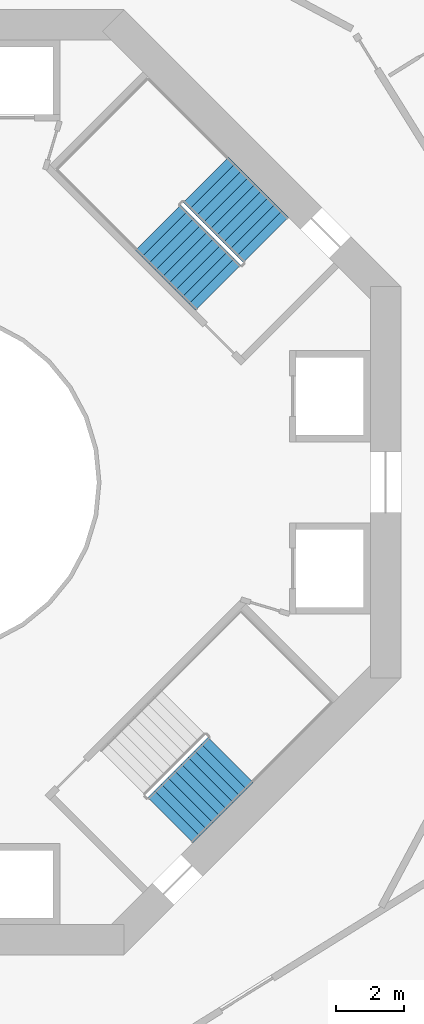
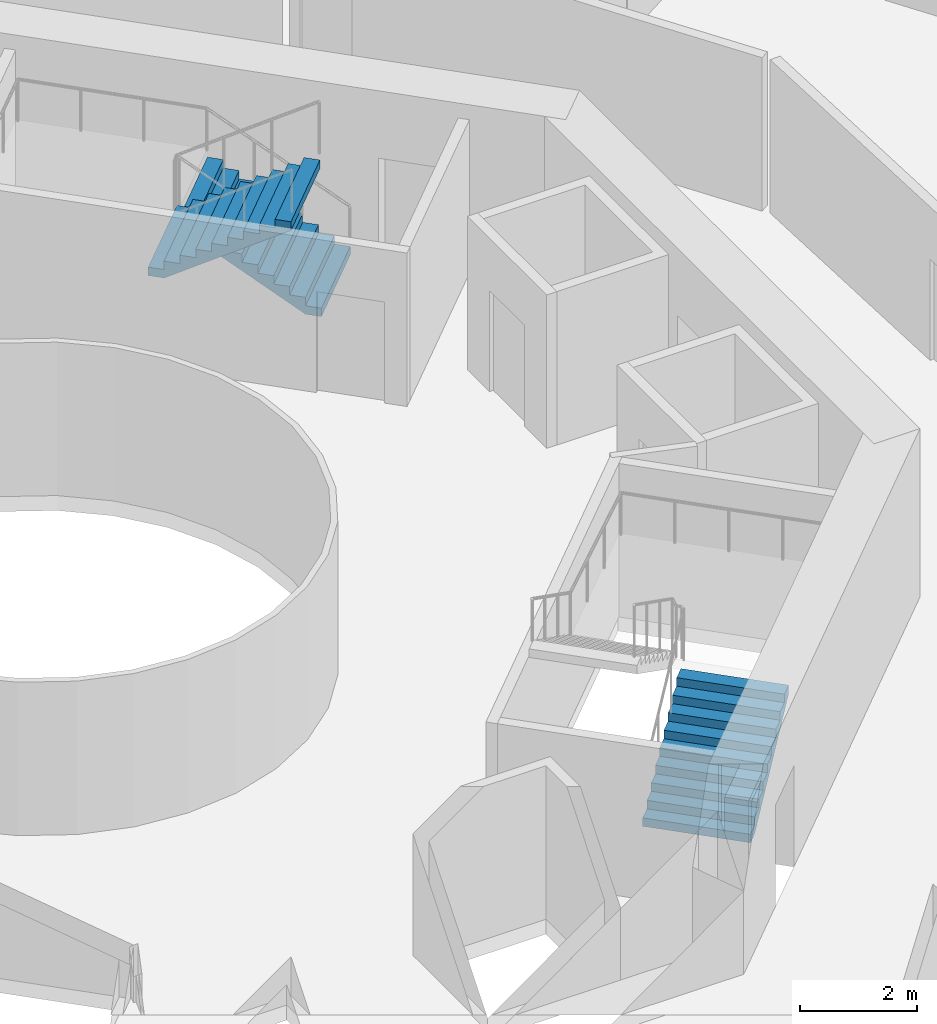
# One storey, part 26 of 27: 3 stair flights, 2 elements without a shape of their own.
"""IFC4 building model written with IfcOpenShell, lengths in metres."""

from ifc_helpers import new_model, si_unit, direction, frame, origin, place, context, subcontext, project, spatial, triangles, material, type_object, element, aggregate, save


model = new_model("IFC4")

# Units and contexts
model_context = context("Model", 3, precision=1e-05, world=origin(), true_north=direction((0.0, 1.0)))
body_context = subcontext(model_context, "Body", "Model", "MODEL_VIEW")
ifc_project = project(units=[si_unit("LENGTHUNIT", "METRE"), si_unit("AREAUNIT", "SQUARE_METRE"), si_unit("VOLUMEUNIT", "CUBIC_METRE"), si_unit("PLANEANGLEUNIT", "RADIAN"), si_unit("MASSUNIT", "GRAM", prefix="KILO")], contexts=[model_context])

# Site, building, storey
site_placement = place(None, origin())
site = spatial("IfcSite", under=ifc_project, at=site_placement, CompositionType="ELEMENT")
building_placement = place(site_placement, origin())
building = spatial("IfcBuilding", under=site, at=building_placement, Name="Verdalira Terraces Hotel", CompositionType="ELEMENT")
storey_placement = place(building_placement, frame((0.0, 0.0, 42.5)))
storey = spatial("IfcBuildingStorey", under=building, at=storey_placement, Name="L08", CompositionType="ELEMENT", Elevation=42.5)

# Stair, stair flights
ifc_material_1 = material(Name="Concrete C40", Category="concrete")
stair_type = type_object("IfcStairType", Name="Core stair 20 risers 1900 mm wide", PredefinedType="HALF_TURN_STAIR", material=ifc_material_1)
stair_1_placement = place(storey_placement, origin())
stair_1 = element("IfcStair", 1, at=stair_1_placement, inside=storey, type_object=stair_type, Name="L08 Exit stair ST1", PredefinedType="HALF_TURN_STAIR")
ifc_material_2 = material(Name="Concrete C40", Category="concrete")
stair_flight_type = type_object("IfcStairFlightType", Name="Core stair flight 20 risers 1900 mm wide", PredefinedType="STRAIGHT", material=ifc_material_2)
stair_flight_1_placement = place(storey_placement, frame((10.005615, 7.177246, 0.0), z_axis=(0.0, 0.0, 1.0), x_axis=(-0.707106781, 0.707106781, 0.0)))
stair_flight_1 = element("IfcStairFlight", 2, at=stair_flight_1_placement, type_object=stair_flight_type, Name="ST1 flight 1", NumberOfRisers=10, NumberOfTreads=9, PredefinedType="STRAIGHT", RiserHeight=0.175, TreadLength=0.28, context=body_context, shape_type="Tessellation", body=[
    triangles([(0.0, 0.949951, 0.0), (0.282715, 0.949951, 0.0), (2.52002, 0.949951, 1.398193), (0.0, -0.949951, 0.0), (0.282715, -0.949951, 0.0), (2.52002, -0.949951, 1.398193), (2.52002, 0.949951, 1.574951), (2.23999, 0.949951, 1.574951), (2.52002, -0.949951, 1.574951), (2.23999, -0.949951, 1.574951), (2.23999, 0.949951, 1.399902), (2.23999, -0.949951, 1.399902), (1.959961, 0.949951, 1.399902), (1.959961, -0.949951, 1.399902), (1.959961, 0.949951, 1.225098), (1.959961, -0.949951, 1.225098), (1.679932, 0.949951, 1.225098), (1.679932, 0.949951, 1.050049), (1.679932, -0.949951, 1.225098), (1.679932, -0.949951, 1.050049), (1.399902, 0.949951, 1.050049), (1.399902, 0.949951, 0.875), (1.399902, -0.949951, 1.050049), (1.399902, -0.949951, 0.875), (1.120117, 0.949951, 0.875), (1.120117, 0.949951, 0.699951), (1.120117, -0.949951, 0.875), (1.120117, -0.949951, 0.699951), (0.840088, 0.949951, 0.699951), (0.840088, 0.949951, 0.524902), (0.840088, -0.949951, 0.699951), (0.840088, -0.949951, 0.524902), (0.560059, 0.949951, 0.524902), (0.560059, 0.949951, 0.350098), (0.560059, -0.949951, 0.524902), (0.560059, -0.949951, 0.350098), (0.280029, 0.949951, 0.350098), (0.280029, 0.949951, 0.175049), (0.280029, -0.949951, 0.350098), (0.280029, -0.949951, 0.175049), (0.0, 0.949951, 0.175049), (0.0, -0.949951, 0.175049), (0.0, -0.890579, 0.0), (0.0, -0.890579, 0.175049), (0.0, -0.831207, 0.0), (0.0, -0.831207, 0.175049), (0.0, -0.771835, 0.0), (0.0, -0.771835, 0.175049), (0.0, -0.712463, 0.0), (0.0, -0.712463, 0.175049), (0.0, -0.653091, 0.0), (0.0, -0.653091, 0.175049), (0.0, -0.593719, 0.0), (0.0, -0.593719, 0.175049), (0.0, -0.534348, 0.0), (0.0, -0.534348, 0.175049), (0.0, -0.474976, 0.0), (0.0, -0.474976, 0.175049), (0.0, -0.415604, 0.0), (0.0, -0.415604, 0.175049), (0.0, -0.356232, 0.0), (0.0, -0.356232, 0.175049), (0.0, -0.29686, 0.0), (0.0, -0.29686, 0.175049), (0.0, -0.237488, 0.0), (0.0, -0.237488, 0.175049), (0.0, -0.178116, 0.0), (0.0, -0.178116, 0.175049), (0.0, -0.118744, 0.0), (0.0, -0.118744, 0.175049), (0.0, -0.059372, 0.0), (0.0, -0.059372, 0.175049), (0.0, 0.0, 0.0), (0.0, 0.0, 0.175049), (0.0, 0.059372, 0.0), (0.0, 0.059372, 0.175049), (0.0, 0.118744, 0.0), (0.0, 0.118744, 0.175049), (0.0, 0.178116, 0.0), (0.0, 0.178116, 0.175049), (0.0, 0.237488, 0.0), (0.0, 0.237488, 0.175049), (0.0, 0.29686, 0.0), (0.0, 0.29686, 0.175049), (0.0, 0.356232, 0.0), (0.0, 0.356232, 0.175049), (0.0, 0.415604, 0.0), (0.0, 0.415604, 0.175049), (0.0, 0.474976, 0.0), (0.0, 0.474976, 0.175049), (0.0, 0.534348, 0.0), (0.0, 0.534348, 0.175049), (0.0, 0.593719, 0.0), (0.0, 0.593719, 0.175049), (0.0, 0.653091, 0.0), (0.0, 0.653091, 0.175049), (0.0, 0.712463, 0.0), (0.0, 0.712463, 0.175049), (0.0, 0.771835, 0.0), (0.0, 0.771835, 0.175049), (0.0, 0.831207, 0.0), (0.0, 0.831207, 0.175049), (0.0, 0.890579, 0.0), (0.0, 0.890579, 0.175049), (2.52002, -0.890579, 1.574951), (2.52002, -0.831207, 1.574951), (2.52002, -0.771835, 1.574951), (2.52002, -0.712463, 1.574951), (2.52002, -0.653091, 1.574951), (2.52002, -0.593719, 1.574951), (2.52002, -0.534348, 1.574951), (2.52002, -0.474976, 1.574951), (2.52002, -0.415604, 1.574951), (2.52002, -0.356232, 1.574951), (2.52002, -0.29686, 1.574951), (2.52002, -0.237488, 1.574951), (2.52002, -0.178116, 1.574951), (2.52002, -0.118744, 1.574951), (2.52002, -0.059372, 1.574951), (2.52002, 0.0, 1.574951), (2.52002, 0.059372, 1.574951), (2.52002, 0.118744, 1.574951), (2.52002, 0.178116, 1.574951), (2.52002, 0.237488, 1.574951), (2.52002, 0.29686, 1.574951), (2.52002, 0.356232, 1.574951), (2.52002, 0.415604, 1.574951), (2.52002, 0.474976, 1.574951), (2.52002, 0.534348, 1.574951), (2.52002, 0.593719, 1.574951), (2.52002, 0.653091, 1.574951), (2.52002, 0.712463, 1.574951), (2.52002, 0.771835, 1.574951), (2.52002, 0.831207, 1.574951), (2.52002, 0.890579, 1.574951), (2.52002, -0.890579, 1.398193), (2.52002, -0.831207, 1.398193), (2.52002, -0.771835, 1.398193), (2.52002, -0.712463, 1.398193), (2.52002, -0.653091, 1.398193), (2.52002, -0.593719, 1.398193), (2.52002, -0.534348, 1.398193), (2.52002, -0.474976, 1.398193), (2.52002, -0.415604, 1.398193), (2.52002, -0.356232, 1.398193), (2.52002, -0.29686, 1.398193), (2.52002, -0.237488, 1.398193), (2.52002, -0.178116, 1.398193), (2.52002, -0.118744, 1.398193), (2.52002, -0.059372, 1.398193), (2.52002, 0.0, 1.398193), (2.52002, 0.059372, 1.398193), (2.52002, 0.118744, 1.398193), (2.52002, 0.178116, 1.398193), (2.52002, 0.237488, 1.398193), (2.52002, 0.29686, 1.398193), (2.52002, 0.356232, 1.398193), (2.52002, 0.415604, 1.398193), (2.52002, 0.474976, 1.398193), (2.52002, 0.534348, 1.398193), (2.52002, 0.593719, 1.398193), (2.52002, 0.653091, 1.398193), (2.52002, 0.712463, 1.398193), (2.52002, 0.771835, 1.398193), (2.52002, 0.831207, 1.398193), (2.52002, 0.890579, 1.398193)], [[1, 3, 2], [4, 5, 6], [3, 8, 7], [6, 9, 10], [3, 11, 8], [6, 10, 12], [3, 13, 11], [6, 12, 14], [3, 15, 13], [6, 14, 16], [15, 18, 17], [16, 19, 20], [3, 18, 15], [6, 16, 20], [18, 22, 21], [20, 23, 24], [3, 22, 18], [6, 20, 24], [22, 26, 25], [24, 27, 28], [3, 26, 22], [6, 24, 28], [26, 30, 29], [28, 31, 32], [3, 30, 26], [6, 28, 32], [1, 30, 3], [4, 6, 32], [30, 34, 33], [32, 35, 36], [34, 38, 37], [36, 39, 40], [30, 38, 34], [32, 36, 40], [1, 38, 30], [4, 32, 40], [38, 1, 41], [40, 42, 4], [4, 44, 43], [4, 42, 44], [43, 46, 45], [43, 44, 46], [45, 48, 47], [45, 46, 48], [47, 50, 49], [47, 48, 50], [49, 52, 51], [49, 50, 52], [51, 54, 53], [51, 52, 54], [53, 56, 55], [53, 54, 56], [55, 58, 57], [55, 56, 58], [57, 60, 59], [57, 58, 60], [59, 62, 61], [59, 60, 62], [61, 64, 63], [61, 62, 64], [63, 66, 65], [63, 64, 66], [65, 68, 67], [65, 66, 68], [67, 70, 69], [67, 68, 70], [69, 72, 71], [69, 70, 72], [71, 74, 73], [71, 72, 74], [73, 76, 75], [73, 74, 76], [75, 78, 77], [75, 76, 78], [77, 80, 79], [77, 78, 80], [79, 82, 81], [79, 80, 82], [81, 84, 83], [81, 82, 84], [83, 86, 85], [83, 84, 86], [85, 88, 87], [85, 86, 88], [87, 90, 89], [87, 88, 90], [89, 92, 91], [89, 90, 92], [91, 94, 93], [91, 92, 94], [93, 96, 95], [93, 94, 96], [95, 98, 97], [95, 96, 98], [97, 100, 99], [97, 98, 100], [99, 102, 101], [99, 100, 102], [101, 104, 103], [101, 102, 104], [103, 41, 1], [103, 104, 41], [42, 40, 44], [44, 40, 46], [46, 40, 48], [48, 40, 50], [50, 40, 52], [52, 40, 54], [54, 40, 56], [56, 40, 58], [58, 40, 60], [60, 40, 62], [62, 40, 64], [64, 40, 66], [66, 40, 68], [68, 40, 70], [70, 40, 72], [72, 40, 74], [74, 40, 76], [76, 40, 78], [78, 40, 80], [80, 40, 82], [82, 40, 84], [84, 40, 86], [86, 40, 88], [88, 40, 90], [90, 40, 92], [92, 40, 94], [94, 40, 96], [96, 40, 98], [98, 40, 100], [100, 40, 102], [102, 40, 104], [104, 40, 41], [41, 40, 38], [40, 37, 38], [40, 39, 37], [39, 34, 37], [39, 36, 34], [36, 33, 34], [36, 35, 33], [35, 30, 33], [35, 32, 30], [32, 29, 30], [32, 31, 29], [31, 26, 29], [31, 28, 26], [28, 25, 26], [28, 27, 25], [27, 22, 25], [27, 24, 22], [24, 21, 22], [24, 23, 21], [23, 18, 21], [23, 20, 18], [20, 17, 18], [20, 19, 17], [19, 15, 17], [19, 16, 15], [16, 13, 15], [16, 14, 13], [14, 11, 13], [14, 12, 11], [12, 8, 11], [12, 10, 8], [9, 105, 10], [105, 106, 10], [106, 107, 10], [107, 108, 10], [108, 109, 10], [109, 110, 10], [110, 111, 10], [111, 112, 10], [112, 113, 10], [113, 114, 10], [114, 115, 10], [115, 116, 10], [116, 117, 10], [117, 118, 10], [118, 119, 10], [119, 120, 10], [120, 121, 10], [121, 122, 10], [122, 123, 10], [123, 124, 10], [124, 125, 10], [125, 126, 10], [126, 127, 10], [127, 128, 10], [128, 129, 10], [129, 130, 10], [130, 131, 10], [131, 132, 10], [132, 133, 10], [133, 134, 10], [134, 135, 10], [135, 7, 10], [7, 8, 10], [9, 136, 105], [9, 6, 136], [105, 137, 106], [105, 136, 137], [106, 138, 107], [106, 137, 138], [107, 139, 108], [107, 138, 139], [108, 140, 109], [108, 139, 140], [109, 141, 110], [109, 140, 141], [110, 142, 111], [110, 141, 142], [111, 143, 112], [111, 142, 143], [112, 144, 113], [112, 143, 144], [113, 145, 114], [113, 144, 145], [114, 146, 115], [114, 145, 146], [115, 147, 116], [115, 146, 147], [116, 148, 117], [116, 147, 148], [117, 149, 118], [117, 148, 149], [118, 150, 119], [118, 149, 150], [119, 151, 120], [119, 150, 151], [120, 152, 121], [120, 151, 152], [121, 153, 122], [121, 152, 153], [122, 154, 123], [122, 153, 154], [123, 155, 124], [123, 154, 155], [124, 156, 125], [124, 155, 156], [125, 157, 126], [125, 156, 157], [126, 158, 127], [126, 157, 158], [127, 159, 128], [127, 158, 159], [128, 160, 129], [128, 159, 160], [129, 161, 130], [129, 160, 161], [130, 162, 131], [130, 161, 162], [131, 163, 132], [131, 162, 163], [132, 164, 133], [132, 163, 164], [133, 165, 134], [133, 164, 165], [134, 166, 135], [134, 165, 166], [135, 3, 7], [135, 166, 3], [6, 5, 136], [136, 5, 137], [137, 5, 138], [138, 5, 139], [139, 5, 140], [140, 5, 141], [141, 5, 142], [142, 5, 143], [143, 5, 144], [144, 5, 145], [145, 5, 146], [146, 5, 147], [147, 5, 148], [148, 5, 149], [149, 5, 150], [150, 5, 151], [151, 5, 152], [152, 5, 153], [153, 5, 154], [154, 5, 155], [155, 5, 156], [156, 5, 157], [157, 5, 158], [158, 5, 159], [159, 5, 160], [160, 5, 161], [161, 5, 162], [162, 5, 163], [163, 5, 164], [164, 5, 165], [165, 5, 166], [166, 5, 3], [3, 5, 2], [4, 43, 5], [43, 45, 5], [45, 47, 5], [47, 49, 5], [49, 51, 5], [51, 53, 5], [53, 55, 5], [55, 57, 5], [57, 59, 5], [59, 61, 5], [61, 63, 5], [63, 65, 5], [65, 67, 5], [67, 69, 5], [69, 71, 5], [71, 73, 5], [73, 75, 5], [75, 77, 5], [77, 79, 5], [79, 81, 5], [81, 83, 5], [83, 85, 5], [85, 87, 5], [87, 89, 5], [89, 91, 5], [91, 93, 5], [93, 95, 5], [95, 97, 5], [97, 99, 5], [99, 101, 5], [101, 103, 5], [103, 1, 5], [1, 2, 5]], closed=True),
])
stair_flight_2_placement = place(storey_placement, frame((6.809326, 7.544922, 1.75), z_axis=(0.0, 0.0, 1.0), x_axis=(0.707106781, -0.707106781, 0.0)))
stair_flight_2 = element("IfcStairFlight", 3, at=stair_flight_2_placement, type_object=stair_flight_type, Name="ST1 flight 2", NumberOfRisers=10, NumberOfTreads=9, PredefinedType="STRAIGHT", RiserHeight=0.175, TreadLength=0.28, context=body_context, shape_type="Tessellation", body=[
    triangles([(0.0, 0.949951, 0.0), (0.282715, 0.949951, 0.0), (2.52002, 0.949951, 1.398193), (0.0, -0.949951, 0.0), (0.282715, -0.949951, 0.0), (2.52002, -0.949951, 1.398193), (2.52002, 0.949951, 1.574951), (2.23999, 0.949951, 1.574951), (2.52002, -0.949951, 1.574951), (2.23999, -0.949951, 1.574951), (2.23999, 0.949951, 1.399902), (2.23999, -0.949951, 1.399902), (1.959961, 0.949951, 1.399902), (1.959961, -0.949951, 1.399902), (1.959961, 0.949951, 1.225098), (1.959961, -0.949951, 1.225098), (1.679932, 0.949951, 1.225098), (1.679932, 0.949951, 1.050049), (1.679932, -0.949951, 1.225098), (1.679932, -0.949951, 1.050049), (1.399902, 0.949951, 1.050049), (1.399902, 0.949951, 0.875), (1.399902, -0.949951, 1.050049), (1.399902, -0.949951, 0.875), (1.120117, 0.949951, 0.875), (1.120117, 0.949951, 0.699951), (1.120117, -0.949951, 0.875), (1.120117, -0.949951, 0.699951), (0.840088, 0.949951, 0.699951), (0.840088, 0.949951, 0.524902), (0.840088, -0.949951, 0.699951), (0.840088, -0.949951, 0.524902), (0.560059, 0.949951, 0.524902), (0.560059, 0.949951, 0.350098), (0.560059, -0.949951, 0.524902), (0.560059, -0.949951, 0.350098), (0.280029, 0.949951, 0.350098), (0.280029, 0.949951, 0.175049), (0.280029, -0.949951, 0.350098), (0.280029, -0.949951, 0.175049), (0.0, 0.949951, 0.175049), (0.0, -0.949951, 0.175049), (0.0, -0.890579, 0.0), (0.0, -0.890579, 0.175049), (0.0, -0.831207, 0.0), (0.0, -0.831207, 0.175049), (0.0, -0.771835, 0.0), (0.0, -0.771835, 0.175049), (0.0, -0.712463, 0.0), (0.0, -0.712463, 0.175049), (0.0, -0.653091, 0.0), (0.0, -0.653091, 0.175049), (0.0, -0.593719, 0.0), (0.0, -0.593719, 0.175049), (0.0, -0.534348, 0.0), (0.0, -0.534348, 0.175049), (0.0, -0.474976, 0.0), (0.0, -0.474976, 0.175049), (0.0, -0.415604, 0.0), (0.0, -0.415604, 0.175049), (0.0, -0.356232, 0.0), (0.0, -0.356232, 0.175049), (0.0, -0.29686, 0.0), (0.0, -0.29686, 0.175049), (0.0, -0.237488, 0.0), (0.0, -0.237488, 0.175049), (0.0, -0.178116, 0.0), (0.0, -0.178116, 0.175049), (0.0, -0.118744, 0.0), (0.0, -0.118744, 0.175049), (0.0, -0.059372, 0.0), (0.0, -0.059372, 0.175049), (0.0, 0.0, 0.0), (0.0, 0.0, 0.175049), (0.0, 0.059372, 0.0), (0.0, 0.059372, 0.175049), (0.0, 0.118744, 0.0), (0.0, 0.118744, 0.175049), (0.0, 0.178116, 0.0), (0.0, 0.178116, 0.175049), (0.0, 0.237488, 0.0), (0.0, 0.237488, 0.175049), (0.0, 0.29686, 0.0), (0.0, 0.29686, 0.175049), (0.0, 0.356232, 0.0), (0.0, 0.356232, 0.175049), (0.0, 0.415604, 0.0), (0.0, 0.415604, 0.175049), (0.0, 0.474976, 0.0), (0.0, 0.474976, 0.175049), (0.0, 0.534348, 0.0), (0.0, 0.534348, 0.175049), (0.0, 0.593719, 0.0), (0.0, 0.593719, 0.175049), (0.0, 0.653091, 0.0), (0.0, 0.653091, 0.175049), (0.0, 0.712463, 0.0), (0.0, 0.712463, 0.175049), (0.0, 0.771835, 0.0), (0.0, 0.771835, 0.175049), (0.0, 0.831207, 0.0), (0.0, 0.831207, 0.175049), (0.0, 0.890579, 0.0), (0.0, 0.890579, 0.175049), (2.52002, -0.890579, 1.574951), (2.52002, -0.831207, 1.574951), (2.52002, -0.771835, 1.574951), (2.52002, -0.712463, 1.574951), (2.52002, -0.653091, 1.574951), (2.52002, -0.593719, 1.574951), (2.52002, -0.534348, 1.574951), (2.52002, -0.474976, 1.574951), (2.52002, -0.415604, 1.574951), (2.52002, -0.356232, 1.574951), (2.52002, -0.29686, 1.574951), (2.52002, -0.237488, 1.574951), (2.52002, -0.178116, 1.574951), (2.52002, -0.118744, 1.574951), (2.52002, -0.059372, 1.574951), (2.52002, 0.0, 1.574951), (2.52002, 0.059372, 1.574951), (2.52002, 0.118744, 1.574951), (2.52002, 0.178116, 1.574951), (2.52002, 0.237488, 1.574951), (2.52002, 0.29686, 1.574951), (2.52002, 0.356232, 1.574951), (2.52002, 0.415604, 1.574951), (2.52002, 0.474976, 1.574951), (2.52002, 0.534348, 1.574951), (2.52002, 0.593719, 1.574951), (2.52002, 0.653091, 1.574951), (2.52002, 0.712463, 1.574951), (2.52002, 0.771835, 1.574951), (2.52002, 0.831207, 1.574951), (2.52002, 0.890579, 1.574951), (2.52002, -0.890579, 1.398193), (2.52002, -0.831207, 1.398193), (2.52002, -0.771835, 1.398193), (2.52002, -0.712463, 1.398193), (2.52002, -0.653091, 1.398193), (2.52002, -0.593719, 1.398193), (2.52002, -0.534348, 1.398193), (2.52002, -0.474976, 1.398193), (2.52002, -0.415604, 1.398193), (2.52002, -0.356232, 1.398193), (2.52002, -0.29686, 1.398193), (2.52002, -0.237488, 1.398193), (2.52002, -0.178116, 1.398193), (2.52002, -0.118744, 1.398193), (2.52002, -0.059372, 1.398193), (2.52002, 0.0, 1.398193), (2.52002, 0.059372, 1.398193), (2.52002, 0.118744, 1.398193), (2.52002, 0.178116, 1.398193), (2.52002, 0.237488, 1.398193), (2.52002, 0.29686, 1.398193), (2.52002, 0.356232, 1.398193), (2.52002, 0.415604, 1.398193), (2.52002, 0.474976, 1.398193), (2.52002, 0.534348, 1.398193), (2.52002, 0.593719, 1.398193), (2.52002, 0.653091, 1.398193), (2.52002, 0.712463, 1.398193), (2.52002, 0.771835, 1.398193), (2.52002, 0.831207, 1.398193), (2.52002, 0.890579, 1.398193)], [[1, 3, 2], [4, 5, 6], [3, 8, 7], [6, 9, 10], [3, 11, 8], [6, 10, 12], [3, 13, 11], [6, 12, 14], [3, 15, 13], [6, 14, 16], [15, 18, 17], [16, 19, 20], [3, 18, 15], [6, 16, 20], [18, 22, 21], [20, 23, 24], [3, 22, 18], [6, 20, 24], [22, 26, 25], [24, 27, 28], [3, 26, 22], [6, 24, 28], [26, 30, 29], [28, 31, 32], [3, 30, 26], [6, 28, 32], [1, 30, 3], [4, 6, 32], [30, 34, 33], [32, 35, 36], [34, 38, 37], [36, 39, 40], [30, 38, 34], [32, 36, 40], [1, 38, 30], [4, 32, 40], [38, 1, 41], [40, 42, 4], [4, 44, 43], [4, 42, 44], [43, 46, 45], [43, 44, 46], [45, 48, 47], [45, 46, 48], [47, 50, 49], [47, 48, 50], [49, 52, 51], [49, 50, 52], [51, 54, 53], [51, 52, 54], [53, 56, 55], [53, 54, 56], [55, 58, 57], [55, 56, 58], [57, 60, 59], [57, 58, 60], [59, 62, 61], [59, 60, 62], [61, 64, 63], [61, 62, 64], [63, 66, 65], [63, 64, 66], [65, 68, 67], [65, 66, 68], [67, 70, 69], [67, 68, 70], [69, 72, 71], [69, 70, 72], [71, 74, 73], [71, 72, 74], [73, 76, 75], [73, 74, 76], [75, 78, 77], [75, 76, 78], [77, 80, 79], [77, 78, 80], [79, 82, 81], [79, 80, 82], [81, 84, 83], [81, 82, 84], [83, 86, 85], [83, 84, 86], [85, 88, 87], [85, 86, 88], [87, 90, 89], [87, 88, 90], [89, 92, 91], [89, 90, 92], [91, 94, 93], [91, 92, 94], [93, 96, 95], [93, 94, 96], [95, 98, 97], [95, 96, 98], [97, 100, 99], [97, 98, 100], [99, 102, 101], [99, 100, 102], [101, 104, 103], [101, 102, 104], [103, 41, 1], [103, 104, 41], [42, 40, 44], [44, 40, 46], [46, 40, 48], [48, 40, 50], [50, 40, 52], [52, 40, 54], [54, 40, 56], [56, 40, 58], [58, 40, 60], [60, 40, 62], [62, 40, 64], [64, 40, 66], [66, 40, 68], [68, 40, 70], [70, 40, 72], [72, 40, 74], [74, 40, 76], [76, 40, 78], [78, 40, 80], [80, 40, 82], [82, 40, 84], [84, 40, 86], [86, 40, 88], [88, 40, 90], [90, 40, 92], [92, 40, 94], [94, 40, 96], [96, 40, 98], [98, 40, 100], [100, 40, 102], [102, 40, 104], [104, 40, 41], [41, 40, 38], [40, 37, 38], [40, 39, 37], [39, 34, 37], [39, 36, 34], [36, 33, 34], [36, 35, 33], [35, 30, 33], [35, 32, 30], [32, 29, 30], [32, 31, 29], [31, 26, 29], [31, 28, 26], [28, 25, 26], [28, 27, 25], [27, 22, 25], [27, 24, 22], [24, 21, 22], [24, 23, 21], [23, 18, 21], [23, 20, 18], [20, 17, 18], [20, 19, 17], [19, 15, 17], [19, 16, 15], [16, 13, 15], [16, 14, 13], [14, 11, 13], [14, 12, 11], [12, 8, 11], [12, 10, 8], [9, 105, 10], [105, 106, 10], [106, 107, 10], [107, 108, 10], [108, 109, 10], [109, 110, 10], [110, 111, 10], [111, 112, 10], [112, 113, 10], [113, 114, 10], [114, 115, 10], [115, 116, 10], [116, 117, 10], [117, 118, 10], [118, 119, 10], [119, 120, 10], [120, 121, 10], [121, 122, 10], [122, 123, 10], [123, 124, 10], [124, 125, 10], [125, 126, 10], [126, 127, 10], [127, 128, 10], [128, 129, 10], [129, 130, 10], [130, 131, 10], [131, 132, 10], [132, 133, 10], [133, 134, 10], [134, 135, 10], [135, 7, 10], [7, 8, 10], [9, 136, 105], [9, 6, 136], [105, 137, 106], [105, 136, 137], [106, 138, 107], [106, 137, 138], [107, 139, 108], [107, 138, 139], [108, 140, 109], [108, 139, 140], [109, 141, 110], [109, 140, 141], [110, 142, 111], [110, 141, 142], [111, 143, 112], [111, 142, 143], [112, 144, 113], [112, 143, 144], [113, 145, 114], [113, 144, 145], [114, 146, 115], [114, 145, 146], [115, 147, 116], [115, 146, 147], [116, 148, 117], [116, 147, 148], [117, 149, 118], [117, 148, 149], [118, 150, 119], [118, 149, 150], [119, 151, 120], [119, 150, 151], [120, 152, 121], [120, 151, 152], [121, 153, 122], [121, 152, 153], [122, 154, 123], [122, 153, 154], [123, 155, 124], [123, 154, 155], [124, 156, 125], [124, 155, 156], [125, 157, 126], [125, 156, 157], [126, 158, 127], [126, 157, 158], [127, 159, 128], [127, 158, 159], [128, 160, 129], [128, 159, 160], [129, 161, 130], [129, 160, 161], [130, 162, 131], [130, 161, 162], [131, 163, 132], [131, 162, 163], [132, 164, 133], [132, 163, 164], [133, 165, 134], [133, 164, 165], [134, 166, 135], [134, 165, 166], [135, 3, 7], [135, 166, 3], [6, 5, 136], [136, 5, 137], [137, 5, 138], [138, 5, 139], [139, 5, 140], [140, 5, 141], [141, 5, 142], [142, 5, 143], [143, 5, 144], [144, 5, 145], [145, 5, 146], [146, 5, 147], [147, 5, 148], [148, 5, 149], [149, 5, 150], [150, 5, 151], [151, 5, 152], [152, 5, 153], [153, 5, 154], [154, 5, 155], [155, 5, 156], [156, 5, 157], [157, 5, 158], [158, 5, 159], [159, 5, 160], [160, 5, 161], [161, 5, 162], [162, 5, 163], [163, 5, 164], [164, 5, 165], [165, 5, 166], [166, 5, 3], [3, 5, 2], [4, 43, 5], [43, 45, 5], [45, 47, 5], [47, 49, 5], [49, 51, 5], [51, 53, 5], [53, 55, 5], [55, 57, 5], [57, 59, 5], [59, 61, 5], [61, 63, 5], [63, 65, 5], [65, 67, 5], [67, 69, 5], [69, 71, 5], [71, 73, 5], [73, 75, 5], [75, 77, 5], [77, 79, 5], [79, 81, 5], [81, 83, 5], [83, 85, 5], [85, 87, 5], [87, 89, 5], [89, 91, 5], [91, 93, 5], [93, 95, 5], [95, 97, 5], [97, 99, 5], [99, 101, 5], [101, 103, 5], [103, 1, 5], [1, 2, 5]], closed=True),
])
aggregate(stair_1, [stair_flight_1, stair_flight_2])

# Stair, stair flight
stair_2_placement = place(storey_placement, origin())
stair_2 = element("IfcStair", 4, at=stair_2_placement, inside=storey, type_object=stair_type, Name="L08 Exit stair ST3", PredefinedType="HALF_TURN_STAIR")
stair_flight_3_placement = place(storey_placement, frame((7.177246, -10.005615, 0.0), z_axis=(0.0, 0.0, 1.0), x_axis=(0.707106781, 0.707106781, 0.0)))
stair_flight_3 = element("IfcStairFlight", 5, at=stair_flight_3_placement, type_object=stair_flight_type, Name="ST3 flight 1", NumberOfRisers=10, NumberOfTreads=9, PredefinedType="STRAIGHT", RiserHeight=0.175, TreadLength=0.28, context=body_context, shape_type="Tessellation", body=[
    triangles([(0.0, 0.949951, 0.0), (0.282715, 0.949951, 0.0), (2.52002, 0.949951, 1.398193), (0.0, -0.949951, 0.0), (0.282715, -0.949951, 0.0), (2.52002, -0.949951, 1.398193), (2.52002, 0.949951, 1.574951), (2.23999, 0.949951, 1.574951), (2.52002, -0.949951, 1.574951), (2.23999, -0.949951, 1.574951), (2.23999, 0.949951, 1.399902), (2.23999, -0.949951, 1.399902), (1.959961, 0.949951, 1.399902), (1.959961, -0.949951, 1.399902), (1.959961, 0.949951, 1.225098), (1.959961, -0.949951, 1.225098), (1.679932, 0.949951, 1.225098), (1.679932, 0.949951, 1.050049), (1.679932, -0.949951, 1.225098), (1.679932, -0.949951, 1.050049), (1.399902, 0.949951, 1.050049), (1.399902, 0.949951, 0.875), (1.399902, -0.949951, 1.050049), (1.399902, -0.949951, 0.875), (1.120117, 0.949951, 0.875), (1.120117, 0.949951, 0.699951), (1.120117, -0.949951, 0.875), (1.120117, -0.949951, 0.699951), (0.840088, 0.949951, 0.699951), (0.840088, 0.949951, 0.524902), (0.840088, -0.949951, 0.699951), (0.840088, -0.949951, 0.524902), (0.560059, 0.949951, 0.524902), (0.560059, 0.949951, 0.350098), (0.560059, -0.949951, 0.524902), (0.560059, -0.949951, 0.350098), (0.280029, 0.949951, 0.350098), (0.280029, 0.949951, 0.175049), (0.280029, -0.949951, 0.350098), (0.280029, -0.949951, 0.175049), (0.0, 0.949951, 0.175049), (0.0, -0.949951, 0.175049), (0.0, -0.890579, 0.0), (0.0, -0.890579, 0.175049), (0.0, -0.831207, 0.0), (0.0, -0.831207, 0.175049), (0.0, -0.771835, 0.0), (0.0, -0.771835, 0.175049), (0.0, -0.712463, 0.0), (0.0, -0.712463, 0.175049), (0.0, -0.653091, 0.0), (0.0, -0.653091, 0.175049), (0.0, -0.593719, 0.0), (0.0, -0.593719, 0.175049), (0.0, -0.534348, 0.0), (0.0, -0.534348, 0.175049), (0.0, -0.474976, 0.0), (0.0, -0.474976, 0.175049), (0.0, -0.415604, 0.0), (0.0, -0.415604, 0.175049), (0.0, -0.356232, 0.0), (0.0, -0.356232, 0.175049), (0.0, -0.29686, 0.0), (0.0, -0.29686, 0.175049), (0.0, -0.237488, 0.0), (0.0, -0.237488, 0.175049), (0.0, -0.178116, 0.0), (0.0, -0.178116, 0.175049), (0.0, -0.118744, 0.0), (0.0, -0.118744, 0.175049), (0.0, -0.059372, 0.0), (0.0, -0.059372, 0.175049), (0.0, 0.0, 0.0), (0.0, 0.0, 0.175049), (0.0, 0.059372, 0.0), (0.0, 0.059372, 0.175049), (0.0, 0.118744, 0.0), (0.0, 0.118744, 0.175049), (0.0, 0.178116, 0.0), (0.0, 0.178116, 0.175049), (0.0, 0.237488, 0.0), (0.0, 0.237488, 0.175049), (0.0, 0.29686, 0.0), (0.0, 0.29686, 0.175049), (0.0, 0.356232, 0.0), (0.0, 0.356232, 0.175049), (0.0, 0.415604, 0.0), (0.0, 0.415604, 0.175049), (0.0, 0.474976, 0.0), (0.0, 0.474976, 0.175049), (0.0, 0.534348, 0.0), (0.0, 0.534348, 0.175049), (0.0, 0.593719, 0.0), (0.0, 0.593719, 0.175049), (0.0, 0.653091, 0.0), (0.0, 0.653091, 0.175049), (0.0, 0.712463, 0.0), (0.0, 0.712463, 0.175049), (0.0, 0.771835, 0.0), (0.0, 0.771835, 0.175049), (0.0, 0.831207, 0.0), (0.0, 0.831207, 0.175049), (0.0, 0.890579, 0.0), (0.0, 0.890579, 0.175049), (2.52002, -0.890579, 1.574951), (2.52002, -0.831207, 1.574951), (2.52002, -0.771835, 1.574951), (2.52002, -0.712463, 1.574951), (2.52002, -0.653091, 1.574951), (2.52002, -0.593719, 1.574951), (2.52002, -0.534348, 1.574951), (2.52002, -0.474976, 1.574951), (2.52002, -0.415604, 1.574951), (2.52002, -0.356232, 1.574951), (2.52002, -0.29686, 1.574951), (2.52002, -0.237488, 1.574951), (2.52002, -0.178116, 1.574951), (2.52002, -0.118744, 1.574951), (2.52002, -0.059372, 1.574951), (2.52002, 0.0, 1.574951), (2.52002, 0.059372, 1.574951), (2.52002, 0.118744, 1.574951), (2.52002, 0.178116, 1.574951), (2.52002, 0.237488, 1.574951), (2.52002, 0.29686, 1.574951), (2.52002, 0.356232, 1.574951), (2.52002, 0.415604, 1.574951), (2.52002, 0.474976, 1.574951), (2.52002, 0.534348, 1.574951), (2.52002, 0.593719, 1.574951), (2.52002, 0.653091, 1.574951), (2.52002, 0.712463, 1.574951), (2.52002, 0.771835, 1.574951), (2.52002, 0.831207, 1.574951), (2.52002, 0.890579, 1.574951), (2.52002, -0.890579, 1.398193), (2.52002, -0.831207, 1.398193), (2.52002, -0.771835, 1.398193), (2.52002, -0.712463, 1.398193), (2.52002, -0.653091, 1.398193), (2.52002, -0.593719, 1.398193), (2.52002, -0.534348, 1.398193), (2.52002, -0.474976, 1.398193), (2.52002, -0.415604, 1.398193), (2.52002, -0.356232, 1.398193), (2.52002, -0.29686, 1.398193), (2.52002, -0.237488, 1.398193), (2.52002, -0.178116, 1.398193), (2.52002, -0.118744, 1.398193), (2.52002, -0.059372, 1.398193), (2.52002, 0.0, 1.398193), (2.52002, 0.059372, 1.398193), (2.52002, 0.118744, 1.398193), (2.52002, 0.178116, 1.398193), (2.52002, 0.237488, 1.398193), (2.52002, 0.29686, 1.398193), (2.52002, 0.356232, 1.398193), (2.52002, 0.415604, 1.398193), (2.52002, 0.474976, 1.398193), (2.52002, 0.534348, 1.398193), (2.52002, 0.593719, 1.398193), (2.52002, 0.653091, 1.398193), (2.52002, 0.712463, 1.398193), (2.52002, 0.771835, 1.398193), (2.52002, 0.831207, 1.398193), (2.52002, 0.890579, 1.398193)], [[1, 3, 2], [4, 5, 6], [3, 8, 7], [6, 9, 10], [3, 11, 8], [6, 10, 12], [3, 13, 11], [6, 12, 14], [3, 15, 13], [6, 14, 16], [15, 18, 17], [16, 19, 20], [3, 18, 15], [6, 16, 20], [18, 22, 21], [20, 23, 24], [3, 22, 18], [6, 20, 24], [22, 26, 25], [24, 27, 28], [3, 26, 22], [6, 24, 28], [26, 30, 29], [28, 31, 32], [3, 30, 26], [6, 28, 32], [1, 30, 3], [4, 6, 32], [30, 34, 33], [32, 35, 36], [34, 38, 37], [36, 39, 40], [30, 38, 34], [32, 36, 40], [1, 38, 30], [4, 32, 40], [38, 1, 41], [40, 42, 4], [4, 44, 43], [4, 42, 44], [43, 46, 45], [43, 44, 46], [45, 48, 47], [45, 46, 48], [47, 50, 49], [47, 48, 50], [49, 52, 51], [49, 50, 52], [51, 54, 53], [51, 52, 54], [53, 56, 55], [53, 54, 56], [55, 58, 57], [55, 56, 58], [57, 60, 59], [57, 58, 60], [59, 62, 61], [59, 60, 62], [61, 64, 63], [61, 62, 64], [63, 66, 65], [63, 64, 66], [65, 68, 67], [65, 66, 68], [67, 70, 69], [67, 68, 70], [69, 72, 71], [69, 70, 72], [71, 74, 73], [71, 72, 74], [73, 76, 75], [73, 74, 76], [75, 78, 77], [75, 76, 78], [77, 80, 79], [77, 78, 80], [79, 82, 81], [79, 80, 82], [81, 84, 83], [81, 82, 84], [83, 86, 85], [83, 84, 86], [85, 88, 87], [85, 86, 88], [87, 90, 89], [87, 88, 90], [89, 92, 91], [89, 90, 92], [91, 94, 93], [91, 92, 94], [93, 96, 95], [93, 94, 96], [95, 98, 97], [95, 96, 98], [97, 100, 99], [97, 98, 100], [99, 102, 101], [99, 100, 102], [101, 104, 103], [101, 102, 104], [103, 41, 1], [103, 104, 41], [42, 40, 44], [44, 40, 46], [46, 40, 48], [48, 40, 50], [50, 40, 52], [52, 40, 54], [54, 40, 56], [56, 40, 58], [58, 40, 60], [60, 40, 62], [62, 40, 64], [64, 40, 66], [66, 40, 68], [68, 40, 70], [70, 40, 72], [72, 40, 74], [74, 40, 76], [76, 40, 78], [78, 40, 80], [80, 40, 82], [82, 40, 84], [84, 40, 86], [86, 40, 88], [88, 40, 90], [90, 40, 92], [92, 40, 94], [94, 40, 96], [96, 40, 98], [98, 40, 100], [100, 40, 102], [102, 40, 104], [104, 40, 41], [41, 40, 38], [40, 37, 38], [40, 39, 37], [39, 34, 37], [39, 36, 34], [36, 33, 34], [36, 35, 33], [35, 30, 33], [35, 32, 30], [32, 29, 30], [32, 31, 29], [31, 26, 29], [31, 28, 26], [28, 25, 26], [28, 27, 25], [27, 22, 25], [27, 24, 22], [24, 21, 22], [24, 23, 21], [23, 18, 21], [23, 20, 18], [20, 17, 18], [20, 19, 17], [19, 15, 17], [19, 16, 15], [16, 13, 15], [16, 14, 13], [14, 11, 13], [14, 12, 11], [12, 8, 11], [12, 10, 8], [9, 105, 10], [105, 106, 10], [106, 107, 10], [107, 108, 10], [108, 109, 10], [109, 110, 10], [110, 111, 10], [111, 112, 10], [112, 113, 10], [113, 114, 10], [114, 115, 10], [115, 116, 10], [116, 117, 10], [117, 118, 10], [118, 119, 10], [119, 120, 10], [120, 121, 10], [121, 122, 10], [122, 123, 10], [123, 124, 10], [124, 125, 10], [125, 126, 10], [126, 127, 10], [127, 128, 10], [128, 129, 10], [129, 130, 10], [130, 131, 10], [131, 132, 10], [132, 133, 10], [133, 134, 10], [134, 135, 10], [135, 7, 10], [7, 8, 10], [9, 136, 105], [9, 6, 136], [105, 137, 106], [105, 136, 137], [106, 138, 107], [106, 137, 138], [107, 139, 108], [107, 138, 139], [108, 140, 109], [108, 139, 140], [109, 141, 110], [109, 140, 141], [110, 142, 111], [110, 141, 142], [111, 143, 112], [111, 142, 143], [112, 144, 113], [112, 143, 144], [113, 145, 114], [113, 144, 145], [114, 146, 115], [114, 145, 146], [115, 147, 116], [115, 146, 147], [116, 148, 117], [116, 147, 148], [117, 149, 118], [117, 148, 149], [118, 150, 119], [118, 149, 150], [119, 151, 120], [119, 150, 151], [120, 152, 121], [120, 151, 152], [121, 153, 122], [121, 152, 153], [122, 154, 123], [122, 153, 154], [123, 155, 124], [123, 154, 155], [124, 156, 125], [124, 155, 156], [125, 157, 126], [125, 156, 157], [126, 158, 127], [126, 157, 158], [127, 159, 128], [127, 158, 159], [128, 160, 129], [128, 159, 160], [129, 161, 130], [129, 160, 161], [130, 162, 131], [130, 161, 162], [131, 163, 132], [131, 162, 163], [132, 164, 133], [132, 163, 164], [133, 165, 134], [133, 164, 165], [134, 166, 135], [134, 165, 166], [135, 3, 7], [135, 166, 3], [6, 5, 136], [136, 5, 137], [137, 5, 138], [138, 5, 139], [139, 5, 140], [140, 5, 141], [141, 5, 142], [142, 5, 143], [143, 5, 144], [144, 5, 145], [145, 5, 146], [146, 5, 147], [147, 5, 148], [148, 5, 149], [149, 5, 150], [150, 5, 151], [151, 5, 152], [152, 5, 153], [153, 5, 154], [154, 5, 155], [155, 5, 156], [156, 5, 157], [157, 5, 158], [158, 5, 159], [159, 5, 160], [160, 5, 161], [161, 5, 162], [162, 5, 163], [163, 5, 164], [164, 5, 165], [165, 5, 166], [166, 5, 3], [3, 5, 2], [4, 43, 5], [43, 45, 5], [45, 47, 5], [47, 49, 5], [49, 51, 5], [51, 53, 5], [53, 55, 5], [55, 57, 5], [57, 59, 5], [59, 61, 5], [61, 63, 5], [63, 65, 5], [65, 67, 5], [67, 69, 5], [69, 71, 5], [71, 73, 5], [73, 75, 5], [75, 77, 5], [77, 79, 5], [79, 81, 5], [81, 83, 5], [83, 85, 5], [85, 87, 5], [87, 89, 5], [89, 91, 5], [91, 93, 5], [93, 95, 5], [95, 97, 5], [97, 99, 5], [99, 101, 5], [101, 103, 5], [103, 1, 5], [1, 2, 5]], closed=True),
])
aggregate(stair_2, [stair_flight_3])

save(model, "model.ifc")
